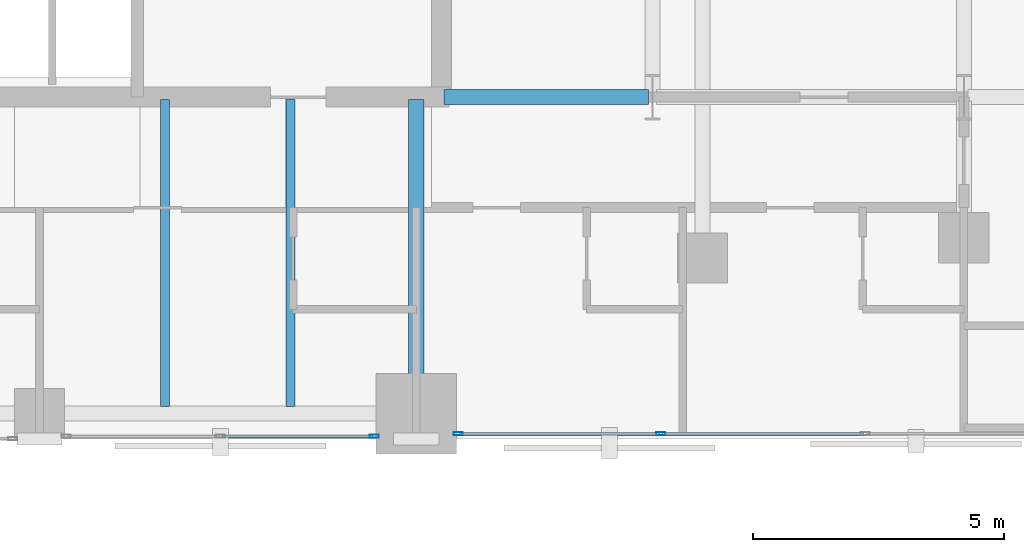
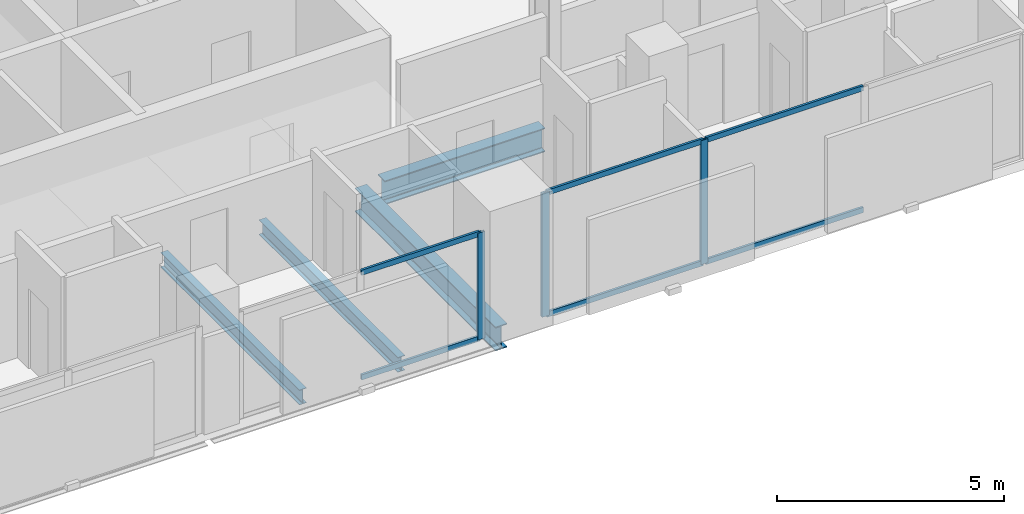
# One storey, part 14 of 31: 9 members, 4 beams, 2 elements without a shape of their own.
"""IFC4 building model written with IfcOpenShell, lengths in metres."""

from ifc_helpers import new_model, si_unit, direction, frame, origin, origin_2d, place, context, subcontext, project, spatial, hollow_rectangle, i_section, extrude, material, layer, layer_set, material_profile, profile_set, type_object, element, aggregate, save


model = new_model("IFC4")

# Units and contexts
model_context = context("Model", 3, precision=1e-05, world=origin(), true_north=direction((0.0, 1.0)))
body_context = subcontext(model_context, "Body", "Model", "MODEL_VIEW")
ifc_project = project(units=[si_unit("LENGTHUNIT", "METRE"), si_unit("AREAUNIT", "SQUARE_METRE"), si_unit("VOLUMEUNIT", "CUBIC_METRE"), si_unit("PLANEANGLEUNIT", "RADIAN"), si_unit("MASSUNIT", "GRAM", prefix="KILO")], contexts=[model_context])

# Site, building, storey
site_placement = place(None, origin())
site = spatial("IfcSite", under=ifc_project, at=site_placement, CompositionType="ELEMENT")
building_placement = place(site_placement, origin())
building = spatial("IfcBuilding", under=site, at=building_placement, Name="Catumbela Crestline Tower", CompositionType="ELEMENT")
storey_placement = place(building_placement, frame((0.0, 0.0, 25.8)))
storey = spatial("IfcBuildingStorey", under=building, at=storey_placement, Name="L05", CompositionType="ELEMENT", Elevation=25.8)

# Beams
ifc_material_1 = material(Name="Structural steel S355J2", Category="steel")
ifc_material_profile_1 = material_profile(ifc_material_1, i_section(OverallWidth=0.3, OverallDepth=0.64, WebThickness=0.0135, FlangeThickness=0.026, FilletRadius=0.027, at=origin_2d()), Name="HEA 650")
ifc_profile_set_1 = profile_set([ifc_material_profile_1], Name="Structural steel S355J2")
beam_type_1 = type_object("IfcBeamType", Name="BG-HEA650", PredefinedType="BEAM", material=ifc_profile_set_1)
beam_1_placement = place(storey_placement, frame((40.05, 30.8, -0.58), z_axis=(1.0, 0.0, 0.0), x_axis=(0.0, 1.0, 0.0)))
element("IfcBeam", 1, at=beam_1_placement, inside=storey, type_object=beam_type_1, Name="L05 Beam BM-L05-M10", PredefinedType="BEAM", context=body_context, shape_type="SweptSolid", body=[
    extrude(i_section(OverallWidth=0.3, OverallDepth=0.64, WebThickness=0.0135, FlangeThickness=0.026, FilletRadius=0.027, at=origin_2d()), origin(), (0.0, 0.0, 1.0), 4.07),
])
beam_2_placement = place(storey_placement, frame((39.5, 24.58, -0.58), z_axis=(0.0, 1.0, 0.0), x_axis=(-1.0, 0.0, 0.0)))
element("IfcBeam", 2, at=beam_2_placement, inside=storey, type_object=beam_type_1, Name="L05 Beam BM-L05-SNS34", PredefinedType="BEAM", context=body_context, shape_type="SweptSolid", body=[
    extrude(i_section(OverallWidth=0.3, OverallDepth=0.64, WebThickness=0.0135, FlangeThickness=0.026, FilletRadius=0.027, at=origin_2d()), origin(), (0.0, 0.0, 1.0), 6.17),
])
ifc_material_profile_2 = material_profile(ifc_material_1, i_section(OverallWidth=0.18, OverallDepth=0.4, WebThickness=0.0086, FlangeThickness=0.0135, FilletRadius=0.021, at=origin_2d()), Name="IPE 400")
ifc_profile_set_2 = profile_set([ifc_material_profile_2], Name="Structural steel S355J2")
beam_type_2 = type_object("IfcBeamType", Name="BJ-IPE400", PredefinedType="JOIST", material=ifc_profile_set_2)
for number, where, z_axis, x_axis, name in (
    (3, (34.5, 24.647, -0.46), (0.0, 1.0, 0.0), (-1.0, 0.0, 0.0), "L05 Joist JS-L05-SP46"),
    (4, (37.0, 24.647, -0.46), (0.0, 1.0, 0.0), (-1.0, 0.0, 0.0), "L05 Joist JS-L05-SP47"),
):
    element("IfcBeam", number, at=place(storey_placement, frame(where, z_axis=z_axis, x_axis=x_axis)), inside=storey, type_object=beam_type_2, Name=name, PredefinedType="JOIST", context=body_context, shape_type="SweptSolid", body=[
        extrude(i_section(OverallWidth=0.18, OverallDepth=0.4, WebThickness=0.0086, FlangeThickness=0.0135, FilletRadius=0.021, at=origin_2d()), origin(), (0.0, 0.0, 1.0), 6.103),
    ])

# Curtain wall, member
ifc_material_2 = material(Name="Aluminium alloy AW-6060-T66", Category="aluminium")
ifc_layer = layer(ifc_material_2, 0.18, Name="Aluminium alloy AW-6060-T66")
ifc_layer_set = layer_set([ifc_layer], Name="Aluminium alloy AW-6060-T66")
curtain_wall_type = type_object("IfcCurtainWallType", Name="CWU-Z1", PredefinedType="USERDEFINED", material=ifc_layer_set)
curtain_wall_1_placement = place(storey_placement, origin())
curtain_wall_1 = element("IfcCurtainWall", 5, at=curtain_wall_1_placement, inside=storey, type_object=curtain_wall_type, Name="L05 Unitised Curtain Wall CW-L05-E3S2", ObjectType="UNITISED", PredefinedType="USERDEFINED")
ifc_material_profile_3 = material_profile(ifc_material_2, hollow_rectangle(XDim=0.065, YDim=0.18, WallThickness=0.004, at=origin_2d()), Name="ALU 180x65x4")
ifc_profile_set_3 = profile_set([ifc_material_profile_3], Name="Aluminium alloy AW-6060-T66")
member_type_1 = type_object("IfcMemberType", Name="MUL-180X65", PredefinedType="MULLION", material=ifc_profile_set_3)
member_1_placement = place(storey_placement, frame((38.6675, 24.05, 0.0), z_axis=(0.0, 0.0, 1.0), x_axis=(0.0, 1.0, 0.0)))
member_1 = element("IfcMember", 6, at=member_1_placement, type_object=member_type_1, Name="CWU-Z1 mullion 3", PredefinedType="MULLION", context=body_context, shape_type="SweptSolid", body=[
    extrude(hollow_rectangle(XDim=0.065, YDim=0.18, WallThickness=0.004, at=origin_2d()), origin(), (0.0, 0.0, 1.0), 2.87),
])

# Curtain wall, members
curtain_wall_2_placement = place(storey_placement, origin())
curtain_wall_2 = element("IfcCurtainWall", 7, at=curtain_wall_2_placement, inside=storey, type_object=curtain_wall_type, Name="L05 Unitised Curtain Wall CW-L05-E3S3", ObjectType="UNITISED", PredefinedType="USERDEFINED")
member_2_placement = place(storey_placement, frame((40.3325, 24.1, 0.0), z_axis=(0.0, 0.0, 1.0), x_axis=(0.0, 1.0, 0.0)))
member_2 = element("IfcMember", 8, at=member_2_placement, type_object=member_type_1, Name="CWU-Z1 mullion 1", PredefinedType="MULLION", context=body_context, shape_type="SweptSolid", body=[
    extrude(hollow_rectangle(XDim=0.065, YDim=0.18, WallThickness=0.004, at=origin_2d()), origin(), (0.0, 0.0, 1.0), 3.33),
])
member_3_placement = place(storey_placement, frame((44.3667, 24.1, 0.0), z_axis=(0.0, 0.0, 1.0), x_axis=(0.0, 1.0, 0.0)))
member_3 = element("IfcMember", 9, at=member_3_placement, type_object=member_type_1, Name="CWU-Z1 mullion 2", PredefinedType="MULLION", context=body_context, shape_type="SweptSolid", body=[
    extrude(hollow_rectangle(XDim=0.065, YDim=0.18, WallThickness=0.004, at=origin_2d()), origin(), (0.0, 0.0, 1.0), 3.33),
])

# Member
ifc_material_profile_4 = material_profile(ifc_material_2, hollow_rectangle(XDim=0.06, YDim=0.14, WallThickness=0.004, at=origin_2d()), Name="ALU 140x60x4")
ifc_profile_set_4 = profile_set([ifc_material_profile_4], Name="Aluminium alloy AW-6060-T66")
member_type_2 = type_object("IfcMemberType", Name="TRN-140X60", PredefinedType="USERDEFINED", material=ifc_profile_set_4)
member_4_placement = place(storey_placement, frame((35.6325, 24.05, 0.03), z_axis=(1.0, 0.0, 0.0), x_axis=(0.0, 1.0, 0.0)))
member_4 = element("IfcMember", 10, at=member_4_placement, type_object=member_type_2, Name="CWU-Z1 transom 2.1", ObjectType="TRANSOM", PredefinedType="USERDEFINED", context=body_context, shape_type="SweptSolid", body=[
    extrude(hollow_rectangle(XDim=0.06, YDim=0.14, WallThickness=0.004, at=origin_2d()), origin(), (0.0, 0.0, 1.0), 3.0025),
])

member_5_placement = place(storey_placement, frame((35.6325, 24.05, 2.84), z_axis=(1.0, 0.0, 0.0), x_axis=(0.0, 1.0, 0.0)))
member_5 = element("IfcMember", 11, at=member_5_placement, type_object=member_type_2, Name="CWU-Z1 transom 2.2", ObjectType="TRANSOM", PredefinedType="USERDEFINED", context=body_context, shape_type="SweptSolid", body=[
    extrude(hollow_rectangle(XDim=0.06, YDim=0.14, WallThickness=0.004, at=origin_2d()), origin(), (0.0, 0.0, 1.0), 3.0025),
])

aggregate(curtain_wall_1, [member_1, member_4, member_5])

member_6_placement = place(storey_placement, frame((40.365, 24.1, 0.03), z_axis=(1.0, 0.0, 0.0), x_axis=(0.0, 1.0, 0.0)))
member_6 = element("IfcMember", 12, at=member_6_placement, type_object=member_type_2, Name="CWU-Z1 transom 1.1", ObjectType="TRANSOM", PredefinedType="USERDEFINED", context=body_context, shape_type="SweptSolid", body=[
    extrude(hollow_rectangle(XDim=0.06, YDim=0.14, WallThickness=0.004, at=origin_2d()), origin(), (0.0, 0.0, 1.0), 3.9692),
])

member_7_placement = place(storey_placement, frame((40.365, 24.1, 3.3), z_axis=(1.0, 0.0, 0.0), x_axis=(0.0, 1.0, 0.0)))
member_7 = element("IfcMember", 13, at=member_7_placement, type_object=member_type_2, Name="CWU-Z1 transom 1.2", ObjectType="TRANSOM", PredefinedType="USERDEFINED", context=body_context, shape_type="SweptSolid", body=[
    extrude(hollow_rectangle(XDim=0.06, YDim=0.14, WallThickness=0.004, at=origin_2d()), origin(), (0.0, 0.0, 1.0), 3.9692),
])

member_8_placement = place(storey_placement, frame((44.3992, 24.1, 0.03), z_axis=(1.0, 0.0, 0.0), x_axis=(0.0, 1.0, 0.0)))
member_8 = element("IfcMember", 14, at=member_8_placement, type_object=member_type_2, Name="CWU-Z1 transom 2.1", ObjectType="TRANSOM", PredefinedType="USERDEFINED", context=body_context, shape_type="SweptSolid", body=[
    extrude(hollow_rectangle(XDim=0.06, YDim=0.14, WallThickness=0.004, at=origin_2d()), origin(), (0.0, 0.0, 1.0), 4.0016),
])

member_9_placement = place(storey_placement, frame((44.3992, 24.1, 3.3), z_axis=(1.0, 0.0, 0.0), x_axis=(0.0, 1.0, 0.0)))
member_9 = element("IfcMember", 15, at=member_9_placement, type_object=member_type_2, Name="CWU-Z1 transom 2.2", ObjectType="TRANSOM", PredefinedType="USERDEFINED", context=body_context, shape_type="SweptSolid", body=[
    extrude(hollow_rectangle(XDim=0.06, YDim=0.14, WallThickness=0.004, at=origin_2d()), origin(), (0.0, 0.0, 1.0), 4.0016),
])

aggregate(curtain_wall_2, [member_2, member_3, member_6, member_7, member_8, member_9])

save(model, "model.ifc")
